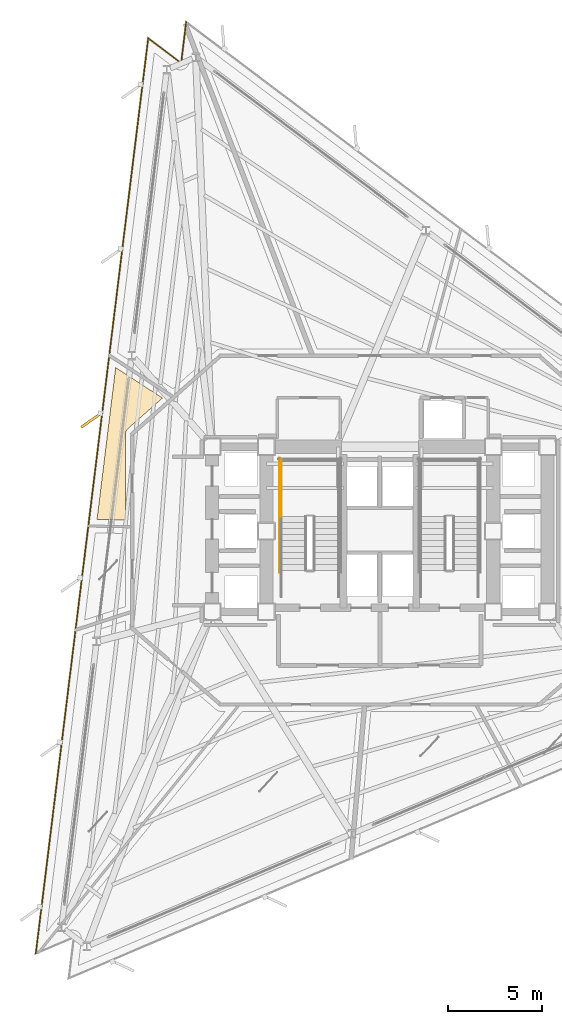
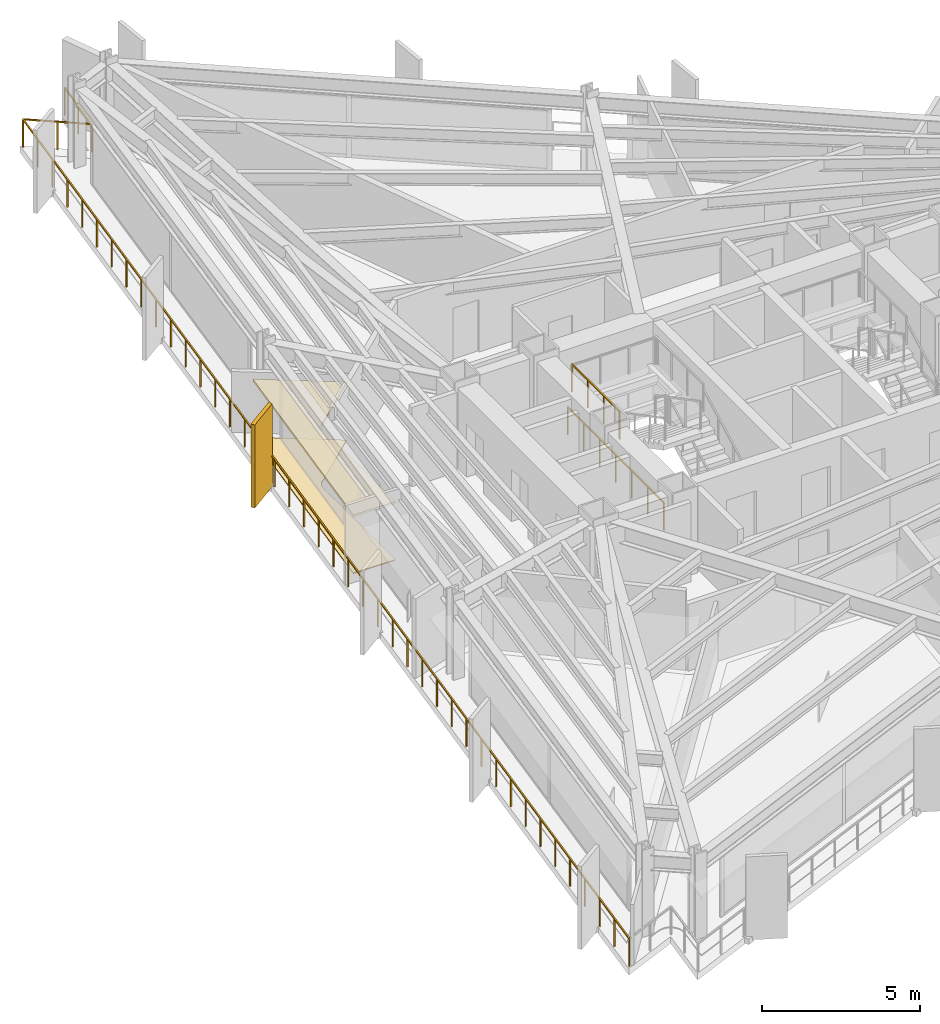
# One storey, part 11 of 13: 3 railings, 2 coverings, 1 shading device.
"""IFC4 building model written with IfcOpenShell, lengths in metres."""

from ifc_helpers import new_model, si_unit, direction, frame, origin, origin_2d, place, context, subcontext, project, spatial, polyline, rectangle, outline, extrude, material, layer, layer_set, type_object, element, save


model = new_model("IFC4")

# Units and contexts
model_context = context("Model", 3, precision=1e-05, world=origin(), true_north=direction((0.0, 1.0)))
body_context = subcontext(model_context, "Body", "Model", "MODEL_VIEW")
ifc_project = project(units=[si_unit("LENGTHUNIT", "METRE"), si_unit("AREAUNIT", "SQUARE_METRE"), si_unit("VOLUMEUNIT", "CUBIC_METRE"), si_unit("PLANEANGLEUNIT", "RADIAN"), si_unit("MASSUNIT", "GRAM", prefix="KILO")], contexts=[model_context])

# Site, building, storey
site_placement = place(None, origin())
site = spatial("IfcSite", under=ifc_project, at=site_placement, CompositionType="ELEMENT")
building_placement = place(site_placement, origin())
building = spatial("IfcBuilding", under=site, at=building_placement, Name="Rocaltana Carrier Exchange", CompositionType="ELEMENT")
storey_placement = place(building_placement, frame((0.0, 0.0, 63.0400390625)))
storey = spatial("IfcBuildingStorey", under=building, at=storey_placement, Name="L19", CompositionType="ELEMENT", Elevation=63.0400390625)

# Coverings
ifc_material_1 = material(Name="Honed Bogota Sandstone Tile", Category="masonry")
ifc_layer_1 = layer(ifc_material_1, 0.0400390625)
ifc_layer_set_1 = layer_set([ifc_layer_1], Name="Honed Bogota Sandstone Tile")
covering_type_1 = type_object("IfcCoveringType", Name="Honed Stone Lobby Flooring 40", PredefinedType="FLOORING", material=ifc_layer_set_1)
covering_1_placement = place(storey_placement, origin())
element("IfcCovering", 1, at=covering_1_placement, inside=storey, type_object=covering_type_1, Name="L19 Client Reception Foyer Finish Floor", PredefinedType="FLOORING", context=body_context, shape_type="SweptSolid", body=[
    extrude(outline(polyline([(-14.0927734375, 8.72265625), (-11.593017578125, 7.099365234375), (-13.438232421875, 5.469970703125), (-13.447998046875, 5.4609375), (-13.453369140625, 5.455810546875), (-13.471435546875, 5.436279296875), (-13.476318359375, 5.4306640625), (-13.492431640625, 5.409912109375), (-13.49658203125, 5.40380859375), (-13.5107421875, 5.38134765625), (-13.5146484375, 5.375), (-13.526611328125, 5.351318359375), (-13.529541015625, 5.344482421875), (-13.539306640625, 5.320068359375), (-13.541748046875, 5.31298828125), (-13.549072265625, 5.28759765625), (-13.55078125, 5.2802734375), (-13.555908203125, 5.25439453125), (-13.556884765625, 5.246826171875), (-13.559326171875, 5.220703125), (-13.559814453125, 5.213134765625), (-13.56005859375, 5.199951171875), (-13.56005859375, 0.5966796875), (-15.087158203125, 0.623291015625), (-14.0927734375, 8.72265625)])), origin(), (0.0, 0.0, 1.0), 0.0400390625),
])
ifc_material_2 = material(Name="Anodised Aluminium 6063-T6", Category="aluminium")
ifc_layer_2 = layer(ifc_material_2, 0.0849609375)
ifc_layer_set_2 = layer_set([ifc_layer_2], Name="Anodised Aluminium 6063-T6")
covering_type_2 = type_object("IfcCoveringType", Name="Linear Baffle Acoustic Ceiling 85", PredefinedType="CEILING", material=ifc_layer_set_2)
covering_2_placement = place(storey_placement, frame((0.0, 0.0, 2.202880859375)))
element("IfcCovering", 2, at=covering_2_placement, inside=storey, type_object=covering_type_2, Name="L19 Client Reception Foyer Acoustic Ceiling", PredefinedType="CEILING", context=body_context, shape_type="SweptSolid", body=[
    extrude(outline(polyline([(-14.0927734375, 8.72265625), (-11.593017578125, 7.099365234375), (-13.438232421875, 5.469970703125), (-13.447998046875, 5.4609375), (-13.453369140625, 5.455810546875), (-13.471435546875, 5.436279296875), (-13.476318359375, 5.4306640625), (-13.492431640625, 5.409912109375), (-13.49658203125, 5.40380859375), (-13.5107421875, 5.38134765625), (-13.5146484375, 5.375), (-13.526611328125, 5.351318359375), (-13.529541015625, 5.344482421875), (-13.539306640625, 5.320068359375), (-13.541748046875, 5.31298828125), (-13.549072265625, 5.28759765625), (-13.55078125, 5.2802734375), (-13.555908203125, 5.25439453125), (-13.556884765625, 5.246826171875), (-13.559326171875, 5.220703125), (-13.559814453125, 5.213134765625), (-13.56005859375, 5.199951171875), (-13.56005859375, 0.5966796875), (-15.087158203125, 0.623291015625), (-14.0927734375, 8.72265625)])), origin(), (0.0, 0.0, 1.0), 0.0849609375),
])

# Railings
ifc_material_3 = material(Name="Powder-Coated Aluminium 6063-T6", Category="aluminium")
ifc_layer_3 = layer(ifc_material_3, 0.048095703125)
ifc_layer_set_3 = layer_set([ifc_layer_3], Name="Powder-Coated Aluminium 6063-T6")
railing_type_1 = type_object("IfcRailingType", Name="Stair Well Guardrail 1100", PredefinedType="GUARDRAIL", material=ifc_layer_set_3)
railing_1_placement = place(storey_placement, frame((-5.25, 0.780029296875, 1.679931640625)))
element("IfcRailing", 3, at=railing_1_placement, inside=storey, type_object=railing_type_1, Name="L19 ST-1 stair guard 4", PredefinedType="GUARDRAIL", context=body_context, shape_type="SweptSolid", body=[
    extrude(rectangle(XDim=0.048095703125, YDim=0.048095703125, at=origin_2d()), frame((0.0, 0.0, 1.076171875), z_axis=(0.0, 1.0, 0.0), x_axis=(-1.0, 0.0, 0.0)), (0.0, 0.0, 1.0), 3.02001953125),
    extrude(rectangle(XDim=0.0419921875, YDim=0.0419921875, at=origin_2d()), origin(), (0.0, 0.0, 1.0), 1.052001953125),
    extrude(rectangle(XDim=0.0419921875, YDim=0.0419921875, at=origin_2d()), frame((0.0, 1.006591796875, 0.0)), (0.0, 0.0, 1.0), 1.052001953125),
    extrude(rectangle(XDim=0.0419921875, YDim=0.0419921875, at=origin_2d()), frame((0.0, 2.013427734375, 0.0)), (0.0, 0.0, 1.0), 1.052001953125),
    extrude(rectangle(XDim=0.0419921875, YDim=0.0419921875, at=origin_2d()), frame((0.0, 3.02001953125, 0.0)), (0.0, 0.0, 1.0), 1.052001953125),
])
railing_2_placement = place(storey_placement, frame((-5.35009765625, -2.199951171875, 0.0)))
element("IfcRailing", 4, at=railing_2_placement, inside=storey, type_object=railing_type_1, Name="L19 ST-1 stair guard 11", PredefinedType="GUARDRAIL", context=body_context, shape_type="SweptSolid", body=[
    extrude(rectangle(XDim=0.048095703125, YDim=0.048095703125, at=origin_2d()), frame((0.0, 0.0, 1.076171875), z_axis=(0.0, 1.0, 0.0), x_axis=(-1.0, 0.0, 0.0)), (0.0, 0.0, 1.0), 6.099853515625),
    extrude(rectangle(XDim=0.0419921875, YDim=0.0419921875, at=origin_2d()), origin(), (0.0, 0.0, 1.0), 1.052001953125),
    extrude(rectangle(XDim=0.0419921875, YDim=0.0419921875, at=origin_2d()), frame((0.0, 1.0166015625, 0.0)), (0.0, 0.0, 1.0), 1.052001953125),
    extrude(rectangle(XDim=0.0419921875, YDim=0.0419921875, at=origin_2d()), frame((0.0, 2.033203125, 0.0)), (0.0, 0.0, 1.0), 1.052001953125),
    extrude(rectangle(XDim=0.0419921875, YDim=0.0419921875, at=origin_2d()), frame((0.0, 3.0498046875, 0.0)), (0.0, 0.0, 1.0), 1.052001953125),
    extrude(rectangle(XDim=0.0419921875, YDim=0.0419921875, at=origin_2d()), frame((0.0, 4.066650390625, 0.0)), (0.0, 0.0, 1.0), 1.052001953125),
    extrude(rectangle(XDim=0.0419921875, YDim=0.0419921875, at=origin_2d()), frame((0.0, 5.083251953125, 0.0)), (0.0, 0.0, 1.0), 1.052001953125),
    extrude(rectangle(XDim=0.0419921875, YDim=0.0419921875, at=origin_2d()), frame((0.0, 6.099853515625, 0.0)), (0.0, 0.0, 1.0), 1.052001953125),
])

# Shading device
ifc_material_4 = material(Name="Honed Bogota Sandstone & Concrete C45/55", Category="masonry")
ifc_layer_4 = layer(ifc_material_4, 0.139892578125)
ifc_layer_set_4 = layer_set([ifc_layer_4], Name="Honed Bogota Sandstone & Concrete C45/55")
shading_device_type = type_object("IfcShadingDeviceType", Name="Vertical Sandstone Shading Fin 1320x140", PredefinedType="USERDEFINED", material=ifc_layer_set_4)
shading_device_placement = place(storey_placement, frame((-15.38427734375, 5.92431640625, -0.1201171875), z_axis=(0.0, 0.0, 1.0), x_axis=(-0.819152044289, -0.573576436351, 0.0)))
element("IfcShadingDevice", 5, at=shading_device_placement, inside=storey, type_object=shading_device_type, Name="L19 Sandstone Vertical Fin F2-03", ObjectType="FIN", PredefinedType="USERDEFINED", context=body_context, shape_type="SweptSolid", body=[
    extrude(rectangle(XDim=1.320068359375, YDim=0.139892578125, at=origin_2d()), origin(), (0.0, 0.0, 1.0), 3.218017578125),
])

# Railing
ifc_material_5 = material(Name="Powder-Coated Aluminium 6063-T6", Category="aluminium")
ifc_layer_5 = layer(ifc_material_5, 0.06005859375)
ifc_layer_set_5 = layer_set([ifc_layer_5], Name="Powder-Coated Aluminium 6063-T6")
railing_type_2 = type_object("IfcRailingType", Name="Wind-Floor & Terrace Perimeter Guardrail 1100", PredefinedType="GUARDRAIL", material=ifc_layer_set_5)
railing_3_placement = place(storey_placement, frame((-18.352783203125, -22.52734375, 0.0)))
element("IfcRailing", 6, at=railing_3_placement, inside=storey, type_object=railing_type_2, Name="L19 Perimeter Balcony Guardrail 2", PredefinedType="GUARDRAIL", context=body_context, shape_type="SweptSolid", body=[
    extrude(rectangle(XDim=0.048095703125, YDim=0.048095703125, at=origin_2d()), frame((0.0, 0.0, 1.076171875), z_axis=(0.12186659782, 0.992546488753, 0.0), x_axis=(-0.992546488753, 0.12186659782, 0.0)), (0.0, 0.0, 1.0), 49.192138671875),
    extrude(rectangle(XDim=0.048095703125, YDim=0.048095703125, at=origin_2d()), frame((5.994873046875, 48.825439453125, 1.076171875), z_axis=(0.798653030423, -0.601791772125, 0.0), x_axis=(0.601791772125, 0.798653030423, 0.0)), (0.0, 0.0, 1.0), 2.199951171875),
    extrude(rectangle(XDim=0.048095703125, YDim=0.048095703125, at=origin_2d()), frame((7.751953125, 47.50146484375, 1.076171875), z_axis=(0.121849105842, 0.992548636292, 0.0), x_axis=(-0.992548636292, 0.121849105842, 0.0)), (0.0, 0.0, 1.0), 2.199951171875),
    extrude(rectangle(XDim=0.0419921875, YDim=0.0419921875, at=origin_2d()), origin(), (0.0, 0.0, 1.0), 1.052001953125),
    extrude(rectangle(XDim=0.0419921875, YDim=0.0419921875, at=origin_2d()), frame((0.146240234375, 1.19091796875, 0.0)), (0.0, 0.0, 1.0), 1.052001953125),
    extrude(rectangle(XDim=0.0419921875, YDim=0.0419921875, at=origin_2d()), frame((0.29248046875, 2.3818359375, 0.0)), (0.0, 0.0, 1.0), 1.052001953125),
    extrude(rectangle(XDim=0.0419921875, YDim=0.0419921875, at=origin_2d()), frame((0.438720703125, 3.572509765625, 0.0)), (0.0, 0.0, 1.0), 1.052001953125),
    extrude(rectangle(XDim=0.0419921875, YDim=0.0419921875, at=origin_2d()), frame((0.5849609375, 4.763427734375, 0.0)), (0.0, 0.0, 1.0), 1.052001953125),
    extrude(rectangle(XDim=0.0419921875, YDim=0.0419921875, at=origin_2d()), frame((0.731201171875, 5.954345703125, 0.0)), (0.0, 0.0, 1.0), 1.052001953125),
    extrude(rectangle(XDim=0.0419921875, YDim=0.0419921875, at=origin_2d()), frame((0.877197265625, 7.145263671875, 0.0)), (0.0, 0.0, 1.0), 1.052001953125),
    extrude(rectangle(XDim=0.0419921875, YDim=0.0419921875, at=origin_2d()), frame((1.0234375, 8.3359375, 0.0)), (0.0, 0.0, 1.0), 1.052001953125),
    extrude(rectangle(XDim=0.0419921875, YDim=0.0419921875, at=origin_2d()), frame((1.169677734375, 9.52685546875, 0.0)), (0.0, 0.0, 1.0), 1.052001953125),
    extrude(rectangle(XDim=0.0419921875, YDim=0.0419921875, at=origin_2d()), frame((1.31591796875, 10.7177734375, 0.0)), (0.0, 0.0, 1.0), 1.052001953125),
    extrude(rectangle(XDim=0.0419921875, YDim=0.0419921875, at=origin_2d()), frame((1.462158203125, 11.90869140625, 0.0)), (0.0, 0.0, 1.0), 1.052001953125),
    extrude(rectangle(XDim=0.0419921875, YDim=0.0419921875, at=origin_2d()), frame((1.6083984375, 13.099609375, 0.0)), (0.0, 0.0, 1.0), 1.052001953125),
    extrude(rectangle(XDim=0.0419921875, YDim=0.0419921875, at=origin_2d()), frame((1.754638671875, 14.290283203125, 0.0)), (0.0, 0.0, 1.0), 1.052001953125),
    extrude(rectangle(XDim=0.0419921875, YDim=0.0419921875, at=origin_2d()), frame((1.90087890625, 15.481201171875, 0.0)), (0.0, 0.0, 1.0), 1.052001953125),
    extrude(rectangle(XDim=0.0419921875, YDim=0.0419921875, at=origin_2d()), frame((2.047119140625, 16.672119140625, 0.0)), (0.0, 0.0, 1.0), 1.052001953125),
    extrude(rectangle(XDim=0.0419921875, YDim=0.0419921875, at=origin_2d()), frame((2.193359375, 17.863037109375, 0.0)), (0.0, 0.0, 1.0), 1.052001953125),
    extrude(rectangle(XDim=0.0419921875, YDim=0.0419921875, at=origin_2d()), frame((2.33935546875, 19.0537109375, 0.0)), (0.0, 0.0, 1.0), 1.052001953125),
    extrude(rectangle(XDim=0.0419921875, YDim=0.0419921875, at=origin_2d()), frame((2.485595703125, 20.24462890625, 0.0)), (0.0, 0.0, 1.0), 1.052001953125),
    extrude(rectangle(XDim=0.0419921875, YDim=0.0419921875, at=origin_2d()), frame((2.6318359375, 21.435546875, 0.0)), (0.0, 0.0, 1.0), 1.052001953125),
    extrude(rectangle(XDim=0.0419921875, YDim=0.0419921875, at=origin_2d()), frame((2.778076171875, 22.62646484375, 0.0)), (0.0, 0.0, 1.0), 1.052001953125),
    extrude(rectangle(XDim=0.0419921875, YDim=0.0419921875, at=origin_2d()), frame((2.92431640625, 23.8173828125, 0.0)), (0.0, 0.0, 1.0), 1.052001953125),
    extrude(rectangle(XDim=0.0419921875, YDim=0.0419921875, at=origin_2d()), frame((3.070556640625, 25.008056640625, 0.0)), (0.0, 0.0, 1.0), 1.052001953125),
    extrude(rectangle(XDim=0.0419921875, YDim=0.0419921875, at=origin_2d()), frame((3.216796875, 26.198974609375, 0.0)), (0.0, 0.0, 1.0), 1.052001953125),
    extrude(rectangle(XDim=0.0419921875, YDim=0.0419921875, at=origin_2d()), frame((3.363037109375, 27.389892578125, 0.0)), (0.0, 0.0, 1.0), 1.052001953125),
    extrude(rectangle(XDim=0.0419921875, YDim=0.0419921875, at=origin_2d()), frame((3.50927734375, 28.580810546875, 0.0)), (0.0, 0.0, 1.0), 1.052001953125),
    extrude(rectangle(XDim=0.0419921875, YDim=0.0419921875, at=origin_2d()), frame((3.655517578125, 29.771728515625, 0.0)), (0.0, 0.0, 1.0), 1.052001953125),
    extrude(rectangle(XDim=0.0419921875, YDim=0.0419921875, at=origin_2d()), frame((3.801513671875, 30.96240234375, 0.0)), (0.0, 0.0, 1.0), 1.052001953125),
    extrude(rectangle(XDim=0.0419921875, YDim=0.0419921875, at=origin_2d()), frame((3.94775390625, 32.1533203125, 0.0)), (0.0, 0.0, 1.0), 1.052001953125),
    extrude(rectangle(XDim=0.0419921875, YDim=0.0419921875, at=origin_2d()), frame((4.093994140625, 33.34423828125, 0.0)), (0.0, 0.0, 1.0), 1.052001953125),
    extrude(rectangle(XDim=0.0419921875, YDim=0.0419921875, at=origin_2d()), frame((4.240234375, 34.53515625, 0.0)), (0.0, 0.0, 1.0), 1.052001953125),
    extrude(rectangle(XDim=0.0419921875, YDim=0.0419921875, at=origin_2d()), frame((4.386474609375, 35.725830078125, 0.0)), (0.0, 0.0, 1.0), 1.052001953125),
    extrude(rectangle(XDim=0.0419921875, YDim=0.0419921875, at=origin_2d()), frame((4.53271484375, 36.916748046875, 0.0)), (0.0, 0.0, 1.0), 1.052001953125),
    extrude(rectangle(XDim=0.0419921875, YDim=0.0419921875, at=origin_2d()), frame((4.678955078125, 38.107666015625, 0.0)), (0.0, 0.0, 1.0), 1.052001953125),
    extrude(rectangle(XDim=0.0419921875, YDim=0.0419921875, at=origin_2d()), frame((4.8251953125, 39.298583984375, 0.0)), (0.0, 0.0, 1.0), 1.052001953125),
    extrude(rectangle(XDim=0.0419921875, YDim=0.0419921875, at=origin_2d()), frame((4.971435546875, 40.489501953125, 0.0)), (0.0, 0.0, 1.0), 1.052001953125),
    extrude(rectangle(XDim=0.0419921875, YDim=0.0419921875, at=origin_2d()), frame((5.11767578125, 41.68017578125, 0.0)), (0.0, 0.0, 1.0), 1.052001953125),
    extrude(rectangle(XDim=0.0419921875, YDim=0.0419921875, at=origin_2d()), frame((5.263671875, 42.87109375, 0.0)), (0.0, 0.0, 1.0), 1.052001953125),
    extrude(rectangle(XDim=0.0419921875, YDim=0.0419921875, at=origin_2d()), frame((5.409912109375, 44.06201171875, 0.0)), (0.0, 0.0, 1.0), 1.052001953125),
    extrude(rectangle(XDim=0.0419921875, YDim=0.0419921875, at=origin_2d()), frame((5.55615234375, 45.2529296875, 0.0)), (0.0, 0.0, 1.0), 1.052001953125),
    extrude(rectangle(XDim=0.0419921875, YDim=0.0419921875, at=origin_2d()), frame((5.702392578125, 46.443603515625, 0.0)), (0.0, 0.0, 1.0), 1.052001953125),
    extrude(rectangle(XDim=0.0419921875, YDim=0.0419921875, at=origin_2d()), frame((5.8486328125, 47.634521484375, 0.0)), (0.0, 0.0, 1.0), 1.052001953125),
    extrude(rectangle(XDim=0.0419921875, YDim=0.0419921875, at=origin_2d()), frame((5.994873046875, 48.825439453125, 0.0)), (0.0, 0.0, 1.0), 1.052001953125),
    extrude(rectangle(XDim=0.0419921875, YDim=0.0419921875, at=origin_2d()), frame((6.87353515625, 48.16357421875, 0.0)), (0.0, 0.0, 1.0), 1.052001953125),
    extrude(rectangle(XDim=0.0419921875, YDim=0.0419921875, at=origin_2d()), frame((7.751953125, 47.50146484375, 0.0)), (0.0, 0.0, 1.0), 1.052001953125),
    extrude(rectangle(XDim=0.0419921875, YDim=0.0419921875, at=origin_2d()), frame((7.885986328125, 48.59326171875, 0.0)), (0.0, 0.0, 1.0), 1.052001953125),
    extrude(rectangle(XDim=0.0419921875, YDim=0.0419921875, at=origin_2d()), frame((8.02001953125, 49.68505859375, 0.0)), (0.0, 0.0, 1.0), 1.052001953125),
])

save(model, "model.ifc")
